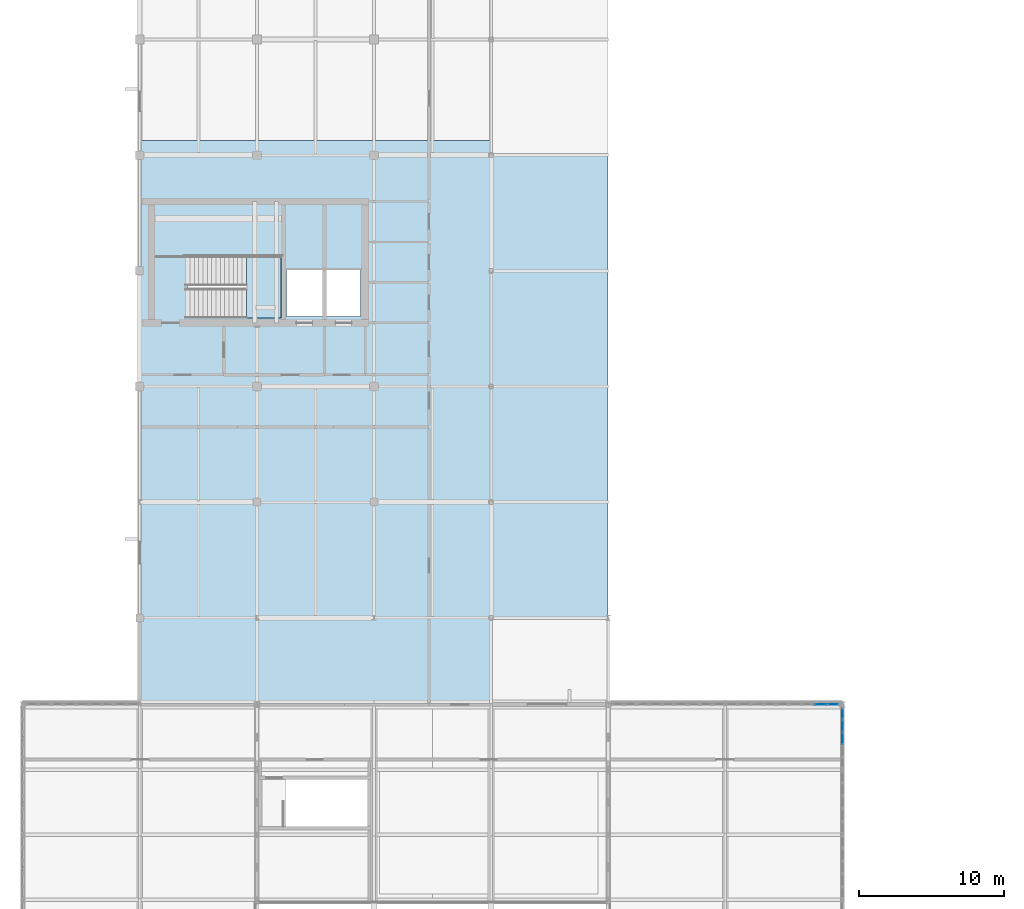
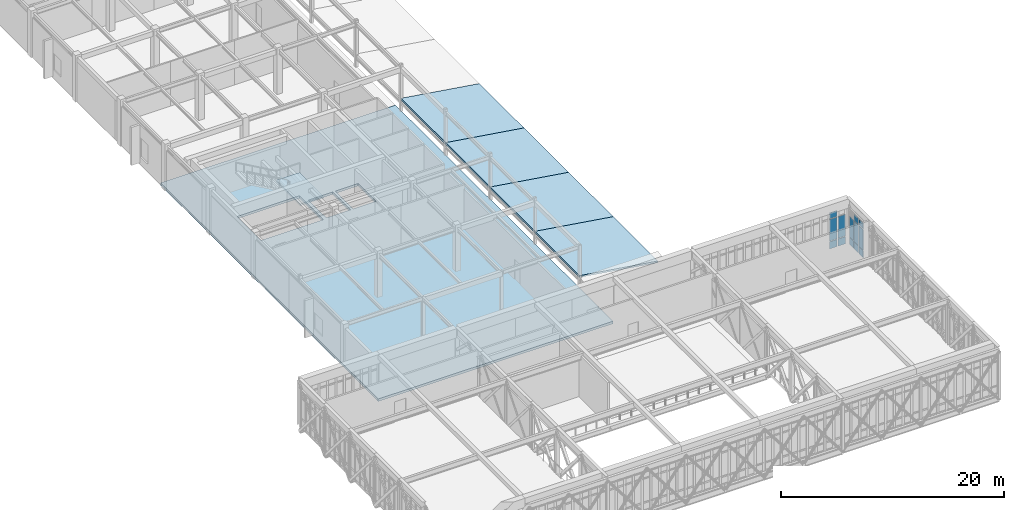
# One storey, part 46 of 70: 13 plates, 6 slabs, 3 elements without a shape of their own.
"""IFC4 building model written with IfcOpenShell, lengths in metres."""

import ifcopenshell
import ifcopenshell.guid

model = None  # the IFC model being written
_history = None  # IfcOwnerHistory: only IFC2X3 demands one
_inside = {}  # id of a spatial element -> (the spatial element, [elements in it])
_under = {}  # id of a project, library or spatial element -> (it, [spatial elements below it])
_declared = {}  # id of a project -> (the project, [libraries it declares])
_typed = {}  # id of a type object -> (the type object, [elements of that type])
_made_of = {}  # id of a material, layer set ... -> (it, [elements and type objects made of it])


def new_model(schema):
    """Start an empty IFC model of exactly this schema.

    Asked for "IFC4X3", IfcOpenShell would pick the latest addendum, in which some entities
    have other attributes; the version numbers below select the first issue.
    IFC2X3 requires an IfcOwnerHistory on every rooted entity: one is made here for all.
    """
    global model, _history
    if schema == "IFC4X3":
        model = ifcopenshell.file(schema_version=(4, 3, 0, 0))
    else:
        model = ifcopenshell.file(schema=schema)
    _inside.clear()
    _under.clear()
    _declared.clear()
    _typed.clear()
    _made_of.clear()
    _history = None
    if model.schema == "IFC2X3":
        org = make("IfcOrganization", Name="unknown")
        user = make(
            "IfcPersonAndOrganization",
            ThePerson=make("IfcPerson", FamilyName="unknown"),
            TheOrganization=org,
        )
        app = make(
            "IfcApplication",
            ApplicationDeveloper=org,
            Version="unknown",
            ApplicationFullName="unknown",
            ApplicationIdentifier="unknown",
        )
        _history = make(
            "IfcOwnerHistory",
            OwningUser=user,
            OwningApplication=app,
            ChangeAction="ADDED",
            CreationDate=0,
        )
    return model


def make(cls, **values):
    """One entity of the class cls with the attributes given. An attribute that is None is left unset."""
    return model.create_entity(
        cls, **{name: value for name, value in values.items() if value is not None}
    )


def rooted(cls, **values):
    """An entity with a GlobalId (a new one), such as an element, a storey or a relation."""
    return make(cls, GlobalId=ifcopenshell.guid.new(), OwnerHistory=_history, **values)


def si_unit(unit_type, name, prefix=None):
    """IfcSIUnit, for example si_unit("LENGTHUNIT", "METRE", prefix="MILLI")."""
    return make("IfcSIUnit", UnitType=unit_type, Prefix=prefix, Name=name)


def assignment(units):
    """IfcUnitAssignment: the units of a project."""
    return None if units is None else make("IfcUnitAssignment", Units=units)


def point(xyz):
    """IfcCartesianPoint."""
    return None if xyz is None else make("IfcCartesianPoint", Coordinates=xyz)


def direction(xyz):
    """IfcDirection."""
    return None if xyz is None else make("IfcDirection", DirectionRatios=xyz)


def frame(location, z_axis=None, x_axis=None):
    """IfcAxis2Placement3D, a coordinate frame: its origin and axes. An axis left out is left unset."""
    return make(
        "IfcAxis2Placement3D",
        Location=point(location),
        Axis=direction(z_axis),
        RefDirection=direction(x_axis),
    )


def frame_2d(location, x_axis=None):
    """IfcAxis2Placement2D, a coordinate frame in the plane: its origin and x axis."""
    return make(
        "IfcAxis2Placement2D", Location=point(location), RefDirection=direction(x_axis)
    )


def origin():
    """The frame at (0, 0, 0) with its axes left unset."""
    return frame((0.0, 0.0, 0.0))


def origin_2d():
    """The frame at (0, 0) in the plane with its x axis left unset."""
    return frame_2d((0.0, 0.0))


def place(relative_to, where):
    """IfcLocalPlacement: puts the frame where relative to a parent placement (None: the world)."""
    return make(
        "IfcLocalPlacement", PlacementRelTo=relative_to, RelativePlacement=where
    )


def context(
    kind, dimensions, precision=None, world=None, true_north=None, identifier=None
):
    """IfcGeometricRepresentationContext, for example the 3D "Model" context."""
    return make(
        "IfcGeometricRepresentationContext",
        ContextIdentifier=identifier,
        ContextType=kind,
        CoordinateSpaceDimension=dimensions,
        Precision=precision,
        WorldCoordinateSystem=world,
        TrueNorth=true_north,
    )


def subcontext(parent, identifier, kind, view, scale=None):
    """IfcGeometricRepresentationSubContext, for example "Body" below "Model"."""
    return make(
        "IfcGeometricRepresentationSubContext",
        ContextIdentifier=identifier,
        ContextType=kind,
        ParentContext=parent,
        TargetScale=scale,
        TargetView=view,
    )


def project(units=None, contexts=None):
    """IfcProject with its units and contexts."""
    return rooted(
        "IfcProject",
        Name="project",
        RepresentationContexts=contexts,
        UnitsInContext=assignment(units),
    )


def spatial(cls, under=None, at=None, **own):
    """A site, building, storey or space (cls), placed at a placement, below another one or the project."""
    s = rooted(cls, ObjectPlacement=at, **own)
    if under is not None:
        _under.setdefault(under.id(), (under, []))[1].append(s)
    return s


def polyline(points):
    """IfcPolyline through the points."""
    return make("IfcPolyline", Points=[point(p) for p in points])


def profile(cls, at=None, kind="AREA", **sizes):
    """A parametric profile (cls). Its sizes go by their IFC names, for example OverallWidth=200.0."""
    return make(cls, ProfileType=kind, Position=at, **sizes)


def rectangle(**sizes):
    """IfcRectangleProfileDef."""
    return profile("IfcRectangleProfileDef", **sizes)


def outline(outer, holes=None, kind="AREA"):
    """IfcArbitraryClosedProfileDef: a profile drawn as a closed curve; with holes, ...WithVoids."""
    if holes is None:
        return make("IfcArbitraryClosedProfileDef", ProfileType=kind, OuterCurve=outer)
    return make(
        "IfcArbitraryProfileDefWithVoids",
        ProfileType=kind,
        OuterCurve=outer,
        InnerCurves=holes,
    )


def extrude(swept, where, along, depth):
    """IfcExtrudedAreaSolid: the profile swept, set in the frame where, extruded along a direction by depth."""
    return make(
        "IfcExtrudedAreaSolid",
        SweptArea=swept,
        Position=where,
        ExtrudedDirection=direction(along),
        Depth=depth,
    )


def shape(context_of_items, identifier, shape_type, items):
    """IfcShapeRepresentation: the items that make up one representation, for example the "Body"."""
    return make(
        "IfcShapeRepresentation",
        ContextOfItems=context_of_items,
        RepresentationIdentifier=identifier,
        RepresentationType=shape_type,
        Items=items,
    )


def material(Name=None, Category=None):
    """IfcMaterial."""
    return make("IfcMaterial", Name=Name, Category=Category)


def layer(
    of_material, thickness, ventilated=None, Name=None, Category=None, Priority=None
):
    """IfcMaterialLayer: one layer of a wall or slab, of a material (None: an air gap)."""
    return make(
        "IfcMaterialLayer",
        Material=of_material,
        LayerThickness=thickness,
        IsVentilated=ventilated,
        Name=Name,
        Category=Category,
        Priority=Priority,
    )


def layer_set(layers, Name=None):
    """IfcMaterialLayerSet."""
    return make("IfcMaterialLayerSet", MaterialLayers=layers, LayerSetName=Name)


def made_of(thing, what):
    """Note that an element or type object is made of a material, layer set ...; save() writes the relation."""
    if what is not None:
        _made_of.setdefault(what.id(), (what, []))[1].append(thing)
    return thing


def type_object(cls, material=None, **own):
    """A type object (cls), such as IfcWallType, which elements share."""
    return made_of(rooted(cls, **own), material)


def element(
    cls,
    number,
    at=None,
    inside=None,
    cuts=None,
    type_object=None,
    material=None,
    context=None,
    identifier="Body",
    shape_type=None,
    held_by="IfcProductDefinitionShape",
    body=None,
    shapes=None,
    **own,
):
    """One element of the class cls, such as IfcWall. Its Tag is "e" and its number.

    at: its placement. inside: the storey or other place that contains it. cuts: it is an
    opening in that element (IfcRelVoidsElement). A single representation is given by context,
    identifier, shape_type and body (its items); several are given by shapes. held_by: the class
    of the entity that holds the representations. save() writes the other relations.
    """
    e = rooted(cls, Tag="e%d" % number, ObjectPlacement=at, **own)
    if body is not None:
        shapes = [shape(context, identifier, shape_type, body)]
    if shapes is not None:
        e.Representation = make(held_by, Representations=shapes)
    if inside is not None:
        _inside.setdefault(inside.id(), (inside, []))[1].append(e)
    if cuts is not None:
        rooted(
            "IfcRelVoidsElement", RelatingBuildingElement=cuts, RelatedOpeningElement=e
        )
    if type_object is not None:
        _typed.setdefault(type_object.id(), (type_object, []))[1].append(e)
    return made_of(e, material)


def aggregate(whole, parts):
    """IfcRelAggregates: a whole, such as a stair, and the parts it consists of."""
    return rooted("IfcRelAggregates", RelatingObject=whole, RelatedObjects=parts)


def save(model, path):
    """Write the relations noted so far, then the file.

    IfcRelAggregates (storeys below a building ...), IfcRelContainedInSpatialStructure (elements
    in a storey), IfcRelDefinesByType, IfcRelAssociatesMaterial and IfcRelDeclares: one each for
    every whole, place, type object, material and project.
    """
    for whole, parts in _under.values():
        aggregate(whole, parts)
    for where, things in _inside.values():
        rooted(
            "IfcRelContainedInSpatialStructure",
            RelatedElements=things,
            RelatingStructure=where,
        )
    for kind, things in _typed.values():
        rooted("IfcRelDefinesByType", RelatedObjects=things, RelatingType=kind)
    for what, things in _made_of.values():
        rooted("IfcRelAssociatesMaterial", RelatedObjects=things, RelatingMaterial=what)
    for by, libraries in _declared.values():
        rooted("IfcRelDeclares", RelatingContext=by, RelatedDefinitions=libraries)
    model.write(path)


model = new_model("IFC4")

# Units and contexts
model_context = context("Model", 3, precision=1e-05, world=origin(), true_north=direction((0.0, 1.0)))
body_context = subcontext(model_context, "Body", "Model", "MODEL_VIEW")
ifc_project = project(units=[si_unit("LENGTHUNIT", "METRE"), si_unit("AREAUNIT", "SQUARE_METRE"), si_unit("VOLUMEUNIT", "CUBIC_METRE"), si_unit("PLANEANGLEUNIT", "RADIAN"), si_unit("MASSUNIT", "GRAM", prefix="KILO")], contexts=[model_context])

# Site, building, storey
site_placement = place(None, origin())
site = spatial("IfcSite", under=ifc_project, at=site_placement, CompositionType="ELEMENT")
building_placement = place(site_placement, origin())
building = spatial("IfcBuilding", under=site, at=building_placement, Name="Tarnveldt Square Police Headquarters", CompositionType="ELEMENT")
storey_placement = place(building_placement, frame((0.0, 0.0, 19.800048828125)))
storey = spatial("IfcBuildingStorey", under=building, at=storey_placement, Name="L04", CompositionType="ELEMENT", Elevation=19.800048828125)

# Curtain wall, plates
ifc_material_1 = material(Name="UL 752 Level III laminated ballistic vision glass", Category="glass")
curtain_wall_type_1 = type_object("IfcCurtainWallType", Name="CW-BL-790x409", PredefinedType="USERDEFINED", material=ifc_material_1)
curtain_wall_1_placement = place(storey_placement, origin())
curtain_wall_1 = element("IfcCurtainWall", 1, at=curtain_wall_1_placement, inside=storey, type_object=curtain_wall_type_1, Name="L04 Curtain Wall CW-L04-049", ObjectType="BALLISTIC CURTAIN WALL", PredefinedType="USERDEFINED")
ifc_layer_1 = layer(ifc_material_1, 0.0380859375)
ifc_layer_set_1 = layer_set([ifc_layer_1], Name="UL 752 Level III laminated ballistic vision glass")
plate_type_1 = type_object("IfcPlateType", Name="CWP-BAL-38", PredefinedType="CURTAIN_PANEL", material=ifc_layer_set_1)
plate_1_placement = place(storey_placement, frame((63.28173828125, 34.0, 0.074951171875), z_axis=(0.0, 0.0, 1.0), x_axis=(1.0, 0.0, 0.0)))
plate_1 = element("IfcPlate", 2, at=plate_1_placement, type_object=plate_type_1, Name="CW-BL19 panel 8.1", PredefinedType="CURTAIN_PANEL", context=body_context, shape_type="SweptSolid", body=[
    extrude(rectangle(XDim=0.79248046875, YDim=0.0380859375, at=origin_2d()), origin(), (0.0, 0.0, 1.0), 0.78759765625),
])
plate_2_placement = place(storey_placement, frame((63.28173828125, 34.0, 0.9375), z_axis=(0.0, 0.0, 1.0), x_axis=(1.0, 0.0, 0.0)))
plate_2 = element("IfcPlate", 3, at=plate_2_placement, type_object=plate_type_1, Name="CW-BL19 panel 8.2", PredefinedType="CURTAIN_PANEL", context=body_context, shape_type="SweptSolid", body=[
    extrude(rectangle(XDim=0.79248046875, YDim=0.0380859375, at=origin_2d()), origin(), (0.0, 0.0, 1.0), 2.366943359375),
])
plate_3_placement = place(storey_placement, frame((63.28173828125, 34.0, 3.37939453125), z_axis=(0.0, 0.0, 1.0), x_axis=(1.0, 0.0, 0.0)))
plate_3 = element("IfcPlate", 4, at=plate_3_placement, type_object=plate_type_1, Name="CW-BL19 panel 8.3", PredefinedType="CURTAIN_PANEL", context=body_context, shape_type="SweptSolid", body=[
    extrude(rectangle(XDim=0.79248046875, YDim=0.0380859375, at=origin_2d()), origin(), (0.0, 0.0, 1.0), 0.637451171875),
])
plate_4_placement = place(storey_placement, frame((64.137939453125, 34.0, 0.074951171875), z_axis=(0.0, 0.0, 1.0), x_axis=(1.0, 0.0, 0.0)))
plate_4 = element("IfcPlate", 5, at=plate_4_placement, type_object=plate_type_1, Name="CW-BL19 panel 9.1", PredefinedType="CURTAIN_PANEL", context=body_context, shape_type="SweptSolid", body=[
    extrude(rectangle(XDim=0.75, YDim=0.0380859375, at=origin_2d()), origin(), (0.0, 0.0, 1.0), 0.78759765625),
])
plate_5_placement = place(storey_placement, frame((64.137939453125, 34.0, 0.9375), z_axis=(0.0, 0.0, 1.0), x_axis=(1.0, 0.0, 0.0)))
plate_5 = element("IfcPlate", 6, at=plate_5_placement, type_object=plate_type_1, Name="CW-BL19 panel 9.2", PredefinedType="CURTAIN_PANEL", context=body_context, shape_type="SweptSolid", body=[
    extrude(rectangle(XDim=0.75, YDim=0.0380859375, at=origin_2d()), origin(), (0.0, 0.0, 1.0), 2.366943359375),
])
aggregate(curtain_wall_1, [plate_1, plate_2, plate_3, plate_4, plate_5])

ifc_material_2 = material(Name="Triple-glazed low-e laminated vision glass", Category="glass")
curtain_wall_type_2 = type_object("IfcCurtainWallType", Name="CW-LT-430x395", PredefinedType="USERDEFINED", material=ifc_material_2)
curtain_wall_2_placement = place(storey_placement, origin())
curtain_wall_2 = element("IfcCurtainWall", 7, at=curtain_wall_2_placement, inside=storey, type_object=curtain_wall_type_2, Name="L04 Curtain Wall CW-L04-061", ObjectType="GLAZED CURTAIN WALL", PredefinedType="USERDEFINED")
ifc_layer_2 = layer(ifc_material_2, 0.028076171875)
ifc_layer_set_2 = layer_set([ifc_layer_2], Name="Triple-glazed low-e laminated vision glass")
plate_type_2 = type_object("IfcPlateType", Name="CWP-VIS-28", PredefinedType="CURTAIN_PANEL", material=ifc_layer_set_2)
plate_6_placement = place(storey_placement, frame((64.800048828125, 31.64892578125, 0.074951171875), z_axis=(0.0, 0.0, 1.0), x_axis=(0.0, 1.0, 0.0)))
plate_6 = element("IfcPlate", 8, at=plate_6_placement, type_object=plate_type_2, Name="CW-LT23 panel 3.1", PredefinedType="CURTAIN_PANEL", context=body_context, shape_type="SweptSolid", body=[
    extrude(rectangle(XDim=0.78466796875, YDim=0.028076171875, at=origin_2d()), origin(), (0.0, 0.0, 1.0), 0.78759765625),
])
plate_7_placement = place(storey_placement, frame((64.800048828125, 31.64892578125, 0.9375), z_axis=(0.0, 0.0, 1.0), x_axis=(0.0, 1.0, 0.0)))
plate_7 = element("IfcPlate", 9, at=plate_7_placement, type_object=plate_type_2, Name="CW-LT23 panel 3.2", PredefinedType="CURTAIN_PANEL", context=body_context, shape_type="SweptSolid", body=[
    extrude(rectangle(XDim=0.78466796875, YDim=0.028076171875, at=origin_2d()), origin(), (0.0, 0.0, 1.0), 2.22705078125),
])
plate_8_placement = place(storey_placement, frame((64.800048828125, 31.64892578125, 3.2392578125), z_axis=(0.0, 0.0, 1.0), x_axis=(0.0, 1.0, 0.0)))
plate_8 = element("IfcPlate", 10, at=plate_8_placement, type_object=plate_type_2, Name="CW-LT23 panel 3.3", PredefinedType="CURTAIN_PANEL", context=body_context, shape_type="SweptSolid", body=[
    extrude(rectangle(XDim=0.78466796875, YDim=0.028076171875, at=origin_2d()), origin(), (0.0, 0.0, 1.0), 0.637451171875),
])
plate_9_placement = place(storey_placement, frame((64.800048828125, 32.508544921875, 0.074951171875), z_axis=(0.0, 0.0, 1.0), x_axis=(0.0, 1.0, 0.0)))
plate_9 = element("IfcPlate", 11, at=plate_9_placement, type_object=plate_type_2, Name="CW-LT23 panel 4.1", PredefinedType="CURTAIN_PANEL", context=body_context, shape_type="SweptSolid", body=[
    extrude(rectangle(XDim=0.78466796875, YDim=0.028076171875, at=origin_2d()), origin(), (0.0, 0.0, 1.0), 0.78759765625),
])
plate_10_placement = place(storey_placement, frame((64.800048828125, 32.508544921875, 0.9375), z_axis=(0.0, 0.0, 1.0), x_axis=(0.0, 1.0, 0.0)))
plate_10 = element("IfcPlate", 12, at=plate_10_placement, type_object=plate_type_2, Name="CW-LT23 panel 4.2", PredefinedType="CURTAIN_PANEL", context=body_context, shape_type="SweptSolid", body=[
    extrude(rectangle(XDim=0.78466796875, YDim=0.028076171875, at=origin_2d()), origin(), (0.0, 0.0, 1.0), 2.22705078125),
])
plate_11_placement = place(storey_placement, frame((64.800048828125, 32.508544921875, 3.2392578125), z_axis=(0.0, 0.0, 1.0), x_axis=(0.0, 1.0, 0.0)))
plate_11 = element("IfcPlate", 13, at=plate_11_placement, type_object=plate_type_2, Name="CW-LT23 panel 4.3", PredefinedType="CURTAIN_PANEL", context=body_context, shape_type="SweptSolid", body=[
    extrude(rectangle(XDim=0.78466796875, YDim=0.028076171875, at=origin_2d()), origin(), (0.0, 0.0, 1.0), 0.637451171875),
])
plate_12_placement = place(storey_placement, frame((64.800048828125, 33.349365234375, 0.074951171875), z_axis=(0.0, 0.0, 1.0), x_axis=(0.0, 1.0, 0.0)))
plate_12 = element("IfcPlate", 14, at=plate_12_placement, type_object=plate_type_2, Name="CW-LT23 panel 5.1", PredefinedType="CURTAIN_PANEL", context=body_context, shape_type="SweptSolid", body=[
    extrude(rectangle(XDim=0.7470703125, YDim=0.028076171875, at=origin_2d()), origin(), (0.0, 0.0, 1.0), 0.78759765625),
])
plate_13_placement = place(storey_placement, frame((64.800048828125, 33.349365234375, 0.9375), z_axis=(0.0, 0.0, 1.0), x_axis=(0.0, 1.0, 0.0)))
plate_13 = element("IfcPlate", 15, at=plate_13_placement, type_object=plate_type_2, Name="CW-LT23 panel 5.2", PredefinedType="CURTAIN_PANEL", context=body_context, shape_type="SweptSolid", body=[
    extrude(rectangle(XDim=0.7470703125, YDim=0.028076171875, at=origin_2d()), origin(), (0.0, 0.0, 1.0), 2.22705078125),
])
aggregate(curtain_wall_2, [plate_6, plate_7, plate_8, plate_9, plate_10, plate_11, plate_12, plate_13])

# Stair, slab
ifc_material_3 = material(Name="Concrete 40 MPa", Category="concrete")
stair_type = type_object("IfcStairType", Name="STR-HT-48A", PredefinedType="HALF_TURN_STAIR", material=ifc_material_3)
stair_placement = place(storey_placement, origin())
stair = element("IfcStair", 16, at=stair_placement, inside=storey, type_object=stair_type, Name="L04 Core K1 Exit Stair ST1", PredefinedType="HALF_TURN_STAIR")
ifc_layer_3 = layer(ifc_material_3, 0.179931640625)
ifc_layer_set_3 = layer_set([ifc_layer_3], Name="Concrete 40 MPa")
slab_type_1 = type_object("IfcSlabType", Name="SL-LND-180", PredefinedType="LANDING", material=ifc_layer_set_3)
slab_1_placement = place(storey_placement, frame((0.0, 0.0, 2.349853515625)))
slab_1 = element("IfcSlab", 17, at=slab_1_placement, type_object=slab_type_1, Name="ST1 landing 1", PredefinedType="LANDING", context=body_context, shape_type="SweptSolid", body=[
    extrude(outline(polyline([(23.570068359375, 60.719970703125), (25.969970703125, 60.719970703125), (25.969970703125, 65.02001953125), (23.570068359375, 65.02001953125), (23.570068359375, 60.719970703125)])), origin(), (0.0, 0.0, 1.0), 0.2001953125),
])
aggregate(stair, [slab_1])

# Slabs
ifc_layer_4 = layer(ifc_material_3, 0.260009765625)
ifc_layer_set_4 = layer_set([ifc_layer_4], Name="Concrete 40 MPa")
slab_type_2 = type_object("IfcSlabType", Name="SL-MID-260", PredefinedType="FLOOR", material=ifc_layer_set_4)
slab_2_placement = place(storey_placement, frame((0.0, 0.0, -0.260009765625)))
element("IfcSlab", 18, at=slab_2_placement, inside=storey, type_object=slab_type_2, Name="L04 Structural Floor Slab L04-V5-1", PredefinedType="FLOOR", context=body_context, shape_type="SweptSolid", body=[
    extrude(outline(polyline([(40.5, 34.0), (16.199951171875, 34.0), (16.199951171875, 73.0), (40.5, 73.0), (40.5, 34.0)]), holes=[polyline([(26.330078125, 64.050048828125), (26.330078125, 60.85009765625), (28.8349609375, 60.85009765625), (28.8349609375, 64.050048828125), (26.330078125, 64.050048828125)]), polyline([(29.114990234375, 64.050048828125), (29.114990234375, 60.85009765625), (31.47998046875, 60.85009765625), (31.47998046875, 64.050048828125), (29.114990234375, 64.050048828125)]), polyline([(19.510009765625, 60.719970703125), (25.969970703125, 60.719970703125), (25.969970703125, 65.02001953125), (19.510009765625, 65.02001953125), (19.510009765625, 60.719970703125)])]), origin(), (0.0, 0.0, 1.0), 0.260009765625),
])
ifc_material_4 = material(Name="Precast concrete 35 MPa", Category="concrete")
ifc_layer_5 = layer(ifc_material_4, 0.18994140625)
ifc_layer_set_5 = layer_set([ifc_layer_5], Name="Precast concrete 35 MPa")
slab_type_3 = type_object("IfcSlabType", Name="SL-PITCH-190", PredefinedType="ROOF", material=ifc_layer_set_5)
for number, where, z_axis, x_axis, name in (
    (19, (40.5, 40.0, 1.349853515625), (0.150126685678, 0.0, 0.98866676805), (0.98866676805, 0.0, -0.150126685678), "Winter-Garden Sloped Roof Deck 1"),
    (20, (40.5, 48.0, 1.349853515625), (0.150126685678, 0.0, 0.98866676805), (0.98866676805, 0.0, -0.150126685678), "Winter-Garden Sloped Roof Deck 2"),
    (21, (40.5, 56.0, 1.349853515625), (0.150126685678, 0.0, 0.98866676805), (0.98866676805, 0.0, -0.150126685678), "Winter-Garden Sloped Roof Deck 3"),
    (22, (40.5, 64.0, 1.349853515625), (0.150126685678, 0.0, 0.98866676805), (0.98866676805, 0.0, -0.150126685678), "Winter-Garden Sloped Roof Deck 4"),
):
    element("IfcSlab", number, at=place(storey_placement, frame(where, z_axis=z_axis, x_axis=x_axis)), inside=storey, type_object=slab_type_3, Name=name, PredefinedType="ROOF", context=body_context, shape_type="SweptSolid", body=[
        extrude(outline(polyline([(0.0, 0.0), (8.192950261919892, 0.0), (8.192950261919892, 8.0), (0.0, 8.0), (0.0, 0.0)])), origin(), (0.0, 0.0, -1.0), 0.18994140625),
    ])

save(model, "model.ifc")
